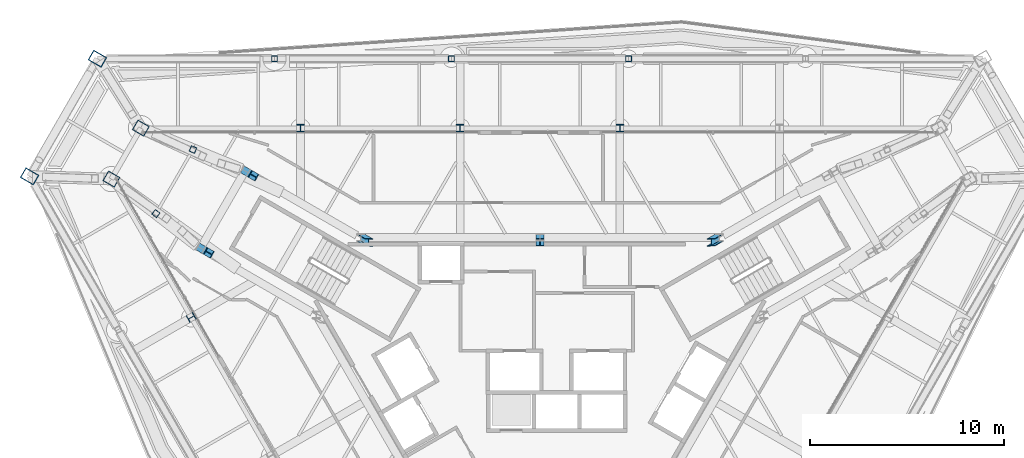
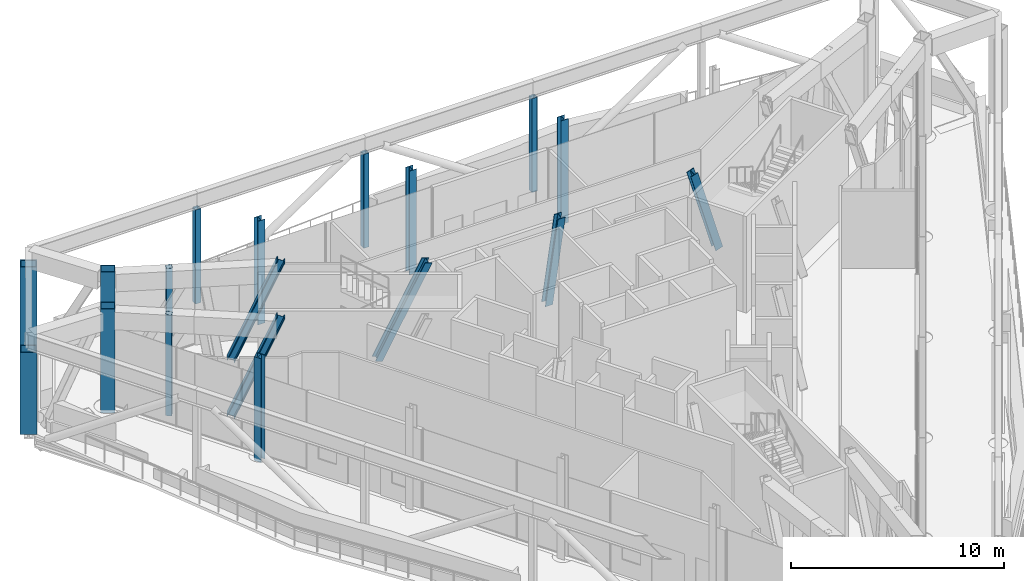
# One storey, part 3 of 25: 18 columns.
"""IFC4 building model written with IfcOpenShell, lengths in metres."""

from ifc_helpers import new_model, si_unit, direction, frame, origin, origin_2d, place, context, subcontext, project, spatial, hollow_rectangle, i_section, extrude, material, material_profile, profile_set, type_object, element, save


model = new_model("IFC4")

# Units and contexts
model_context = context("Model", 3, precision=1e-05, world=origin(), true_north=direction((0.0, 1.0)))
body_context = subcontext(model_context, "Body", "Model", "MODEL_VIEW")
ifc_project = project(units=[si_unit("LENGTHUNIT", "METRE"), si_unit("AREAUNIT", "SQUARE_METRE"), si_unit("VOLUMEUNIT", "CUBIC_METRE"), si_unit("PLANEANGLEUNIT", "RADIAN"), si_unit("MASSUNIT", "GRAM", prefix="KILO")], contexts=[model_context])

# Site, building, storey
site_placement = place(None, origin())
site = spatial("IfcSite", under=ifc_project, at=site_placement, CompositionType="ELEMENT")
building_placement = place(site_placement, origin())
building = spatial("IfcBuilding", under=site, at=building_placement, Name="Verrane Prism Tower", CompositionType="ELEMENT")
storey_placement = place(building_placement, frame((0.0, 0.0, 258.199951171875)))
storey = spatial("IfcBuildingStorey", under=building, at=storey_placement, Name="L65", CompositionType="ELEMENT", Elevation=258.199951171875)

# Columns
ifc_material_1 = material(Name="Steel A500 Grade C", Category="steel")
ifc_material_profile_1 = material_profile(ifc_material_1, hollow_rectangle(XDim=0.3046875, YDim=0.3046875, WallThickness=0.0126953125, InnerFilletRadius=0.00634765625, OuterFilletRadius=0.01904296875, at=origin_2d()), Name="HSS12x12x1/2")
ifc_profile_set_1 = profile_set([ifc_material_profile_1], Name="Steel A500 Grade C")
column_type_1 = type_object("IfcColumnType", Name="Belt truss post HSS12x12x1/2", PredefinedType="COLUMN", material=ifc_profile_set_1)
for number, where, z_axis, x_axis, name in (
    (1, (4.570068359375, 17.22998046875, -0.68994140625), (0.0, 0.0, 1.0), (1.0, 0.0, 0.0), "Belt truss post L65"),
    (2, (-4.570068359375, 17.22998046875, -0.68994140625), (0.0, 0.0, 1.0), (1.0, 0.0, 0.0), "Belt truss post L65"),
    (3, (-13.699951171875, 17.22998046875, -0.68994140625), (0.0, 0.0, 1.0), (1.0, 0.0, 0.0), "Belt truss post L65"),
):
    element("IfcColumn", number, at=place(storey_placement, frame(where, z_axis=z_axis, x_axis=x_axis)), inside=storey, type_object=column_type_1, Name=name, PredefinedType="COLUMN", context=body_context, shape_type="SweptSolid", body=[
        extrude(hollow_rectangle(XDim=0.3046875, YDim=0.3046875, WallThickness=0.0126953125, InnerFilletRadius=0.00634765625, OuterFilletRadius=0.01904296875, at=origin_2d()), origin(), (0.0, 0.0, 1.0), 5.39990234375),
    ])
ifc_material_2 = material(Name="Steel A992", Category="steel")
ifc_material_profile_2 = material_profile(ifc_material_2, i_section(OverallWidth=0.4013671875, OverallDepth=0.398681640625, WebThickness=0.02490234375, FlangeThickness=0.03955078125, FilletRadius=0.01513671875, at=origin_2d()), Name="W14x211")
ifc_profile_set_2 = profile_set([ifc_material_profile_2], Name="Steel A992")
column_type_2 = type_object("IfcColumnType", Name="Core corner column W14x211", PredefinedType="COLUMN", material=ifc_profile_set_2)
for number, where, z_axis, x_axis, name in (
    (4, (-15.2021484375, 11.4296875, 0.050048828125), (0.331353135415, -0.19118201328, 0.923934271174), (0.50003321387, 0.866006216706, -0.000132867899), "Core corner column CK-NWm L65"),
    (5, (-17.502197265625, 7.44970703125, 0.050048828125), (0.331353135415, -0.19118201328, 0.923934271174), (0.50003321387, 0.866006216706, -0.000132867899), "Core corner column CK-NWp L65"),
):
    element("IfcColumn", number, at=place(storey_placement, frame(where, z_axis=z_axis, x_axis=x_axis)), inside=storey, type_object=column_type_2, Name=name, PredefinedType="COLUMN", context=body_context, shape_type="SweptSolid", body=[
        extrude(i_section(OverallWidth=0.4013671875, OverallDepth=0.398681640625, WebThickness=0.02490234375, FlangeThickness=0.03955078125, FilletRadius=0.01513671875, at=origin_2d()), origin(), (0.0, 0.0, 1.0), 6.169189453125),
    ])
ifc_material_3 = material(Name="Steel A992", Category="steel")
ifc_material_profile_3 = material_profile(ifc_material_3, i_section(OverallWidth=0.398681640625, OverallDepth=0.385986328125, WebThickness=0.02099609375, FlangeThickness=0.033203125, FilletRadius=0.01513671875, at=origin_2d()), Name="W14x176")
ifc_profile_set_3 = profile_set([ifc_material_profile_3], Name="Steel A992")
column_type_3 = type_object("IfcColumnType", Name="Core side column W14x176", PredefinedType="COLUMN", material=ifc_profile_set_3)
column_1_placement = place(storey_placement, frame((9.23681640625, 7.986572265625, 0.06494140625), z_axis=(-0.331346299182, -0.19115367602, 0.923942585966), x_axis=(0.941301037418, -1.5106804e-05, 0.337568299352)))
element("IfcColumn", 6, at=column_1_placement, inside=storey, type_object=column_type_3, Name="Core side column CC-NEp L65", PredefinedType="COLUMN", context=body_context, shape_type="SweptSolid", body=[
    extrude(i_section(OverallWidth=0.398681640625, OverallDepth=0.385986328125, WebThickness=0.02099609375, FlangeThickness=0.033203125, FilletRadius=0.01513671875, at=origin_2d()), origin(), (0.0, 0.0, 1.0), 6.136962890625),
])
column_2_placement = place(storey_placement, frame((0.0, 7.993896484375, 0.030029296875), z_axis=(0.0, -0.202631772336, 0.979255005012), x_axis=(1.0, 0.0, 0.0)))
element("IfcColumn", 7, at=column_2_placement, inside=storey, type_object=column_type_3, Name="Core side column CC-N0 L65", PredefinedType="COLUMN", context=body_context, shape_type="SweptSolid", body=[
    extrude(i_section(OverallWidth=0.398681640625, OverallDepth=0.385986328125, WebThickness=0.02099609375, FlangeThickness=0.033203125, FilletRadius=0.01513671875, at=origin_2d()), origin(), (0.0, 0.0, 1.0), 5.861572265625),
])
column_3_placement = place(storey_placement, frame((-9.23681640625, 7.986572265625, 0.06494140625), z_axis=(0.331346299182, -0.19115367602, 0.923942585966), x_axis=(0.941301037418, 1.5106804e-05, -0.337568299352)))
element("IfcColumn", 8, at=column_3_placement, inside=storey, type_object=column_type_3, Name="Core side column CC-NWm L65", PredefinedType="COLUMN", context=body_context, shape_type="SweptSolid", body=[
    extrude(i_section(OverallWidth=0.398681640625, OverallDepth=0.385986328125, WebThickness=0.02099609375, FlangeThickness=0.033203125, FilletRadius=0.01513671875, at=origin_2d()), origin(), (0.0, 0.0, 1.0), 6.136962890625),
])
ifc_material_4 = material(Name="Steel A572 Grade 50", Category="steel")
ifc_material_profile_4 = material_profile(ifc_material_4, hollow_rectangle(XDim=0.60009765625, YDim=0.699951171875, WallThickness=0.0400390625, at=origin_2d()), Name="BOX 700x600x40")
ifc_profile_set_4 = profile_set([ifc_material_profile_4], Name="Steel A572 Grade 50")
column_type_4 = type_object("IfcColumnType", Name="Megacolumn BOX 700x600x40", PredefinedType="COLUMN", material=ifc_profile_set_4)
for number, where, z_axis, x_axis, name in (
    (9, (-20.60009765625, 13.64990234375, -0.159912109375), (0.0, 0.0, 1.0), (0.5, 0.866025403784, 0.0), "Megacolumn MC-NW.a L65"),
    (10, (-22.1201171875, 11.02001953125, -0.159912109375), (0.0, 0.0, 1.0), (0.5, 0.866025403784, 0.0), "Megacolumn MC-NW.b L65"),
):
    element("IfcColumn", number, at=place(storey_placement, frame(where, z_axis=z_axis, x_axis=x_axis)), inside=storey, type_object=column_type_4, Name=name, PredefinedType="COLUMN", context=body_context, shape_type="SweptSolid", body=[
        extrude(hollow_rectangle(XDim=0.60009765625, YDim=0.699951171875, WallThickness=0.0400390625, at=origin_2d()), origin(), (0.0, 0.0, 1.0), 5.9599609375),
    ])
ifc_material_5 = material(Name="Steel A572 Grade 50", Category="steel")
ifc_material_profile_5 = material_profile(ifc_material_5, hollow_rectangle(XDim=0.60009765625, YDim=0.800048828125, WallThickness=0.050048828125, at=origin_2d()), Name="BOX 800x600x50")
ifc_profile_set_5 = profile_set([ifc_material_profile_5], Name="Steel A572 Grade 50")
column_type_5 = type_object("IfcColumnType", Name="Megacolumn BOX 800x600x50", PredefinedType="COLUMN", material=ifc_profile_set_5)
for number, where, z_axis, x_axis, name in (
    (11, (-22.840087890625, 17.22998046875, 0.0), (0.0, 0.0, 1.0), (0.5, 0.866025403784, 0.0), "Megacolumn MC-NW.a@out L65"),
    (12, (-26.340087890625, 11.159912109375, 0.0), (0.0, 0.0, 1.0), (0.5, 0.866025403784, 0.0), "Megacolumn MC-NW.b@out L65"),
):
    element("IfcColumn", number, at=place(storey_placement, frame(where, z_axis=z_axis, x_axis=x_axis)), inside=storey, type_object=column_type_5, Name=name, PredefinedType="COLUMN", context=body_context, shape_type="SweptSolid", body=[
        extrude(hollow_rectangle(XDim=0.60009765625, YDim=0.800048828125, WallThickness=0.050048828125, at=origin_2d()), origin(), (0.0, 0.0, 1.0), 4.7099609375),
    ])
ifc_material_6 = material(Name="Steel A500 Grade C", Category="steel")
ifc_material_profile_6 = material_profile(ifc_material_6, hollow_rectangle(XDim=0.3046875, YDim=0.3046875, WallThickness=0.0126953125, InnerFilletRadius=0.00634765625, OuterFilletRadius=0.01904296875, at=origin_2d()), Name="HSS12x12x1/2")
ifc_profile_set_6 = profile_set([ifc_material_profile_6], Name="Steel A500 Grade C")
column_type_6 = type_object("IfcColumnType", Name="Outrigger truss post HSS12x12x1/2", PredefinedType="COLUMN", material=ifc_profile_set_6)
for number, where, z_axis, x_axis, name in (
    (13, (-17.909912109375, 12.544921875, -0.159912109375), (0.0, 0.0, 1.0), (-0.379971220482, -0.924998308974, 0.0), "Outrigger truss post L65"),
    (14, (-19.820068359375, 9.239990234375, -0.159912109375), (0.0, 0.0, 1.0), (-0.612035101988, -0.790830597495, 0.0), "Outrigger truss post L65"),
):
    element("IfcColumn", number, at=place(storey_placement, frame(where, z_axis=z_axis, x_axis=x_axis)), inside=storey, type_object=column_type_6, Name=name, PredefinedType="COLUMN", context=body_context, shape_type="SweptSolid", body=[
        extrude(hollow_rectangle(XDim=0.3046875, YDim=0.3046875, WallThickness=0.0126953125, InnerFilletRadius=0.00634765625, OuterFilletRadius=0.01904296875, at=origin_2d()), origin(), (0.0, 0.0, 1.0), 5.800048828125),
    ])
ifc_material_7 = material(Name="Steel A992", Category="steel")
ifc_material_profile_7 = material_profile(ifc_material_7, i_section(OverallWidth=0.393798828125, OverallDepth=0.3759765625, WebThickness=0.017333984375, FlangeThickness=0.027587890625, FilletRadius=0.01513671875, at=origin_2d()), Name="W14x145")
ifc_profile_set_7 = profile_set([ifc_material_profile_7], Name="Steel A992")
column_type_7 = type_object("IfcColumnType", Name="Perimeter column W14x145", PredefinedType="COLUMN", material=ifc_profile_set_7)
for number, where, z_axis, x_axis, name in (
    (15, (4.1201171875, 13.64990234375, -0.159912109375), (0.0, 0.0, 1.0), (1.0, 0.0, 0.0), "Perimeter column PC-N2 L65"),
    (16, (-4.1201171875, 13.64990234375, -0.159912109375), (0.0, 0.0, 1.0), (1.0, 0.0, 0.0), "Perimeter column PC-N3 L65"),
    (17, (-12.360107421875, 13.64990234375, -0.159912109375), (0.0, 0.0, 1.0), (1.0, 0.0, 0.0), "Perimeter column PC-N4 L65"),
    (18, (-18.0, 3.8798828125, -0.159912109375), (0.0, 0.0, 1.0), (-0.5, 0.866025403784, 0.0), "Perimeter column PC-SW1 L65"),
):
    element("IfcColumn", number, at=place(storey_placement, frame(where, z_axis=z_axis, x_axis=x_axis)), inside=storey, type_object=column_type_7, Name=name, PredefinedType="COLUMN", context=body_context, shape_type="SweptSolid", body=[
        extrude(i_section(OverallWidth=0.393798828125, OverallDepth=0.3759765625, WebThickness=0.017333984375, FlangeThickness=0.027587890625, FilletRadius=0.01513671875, at=origin_2d()), origin(), (0.0, 0.0, 1.0), 5.9599609375),
    ])

save(model, "model.ifc")
